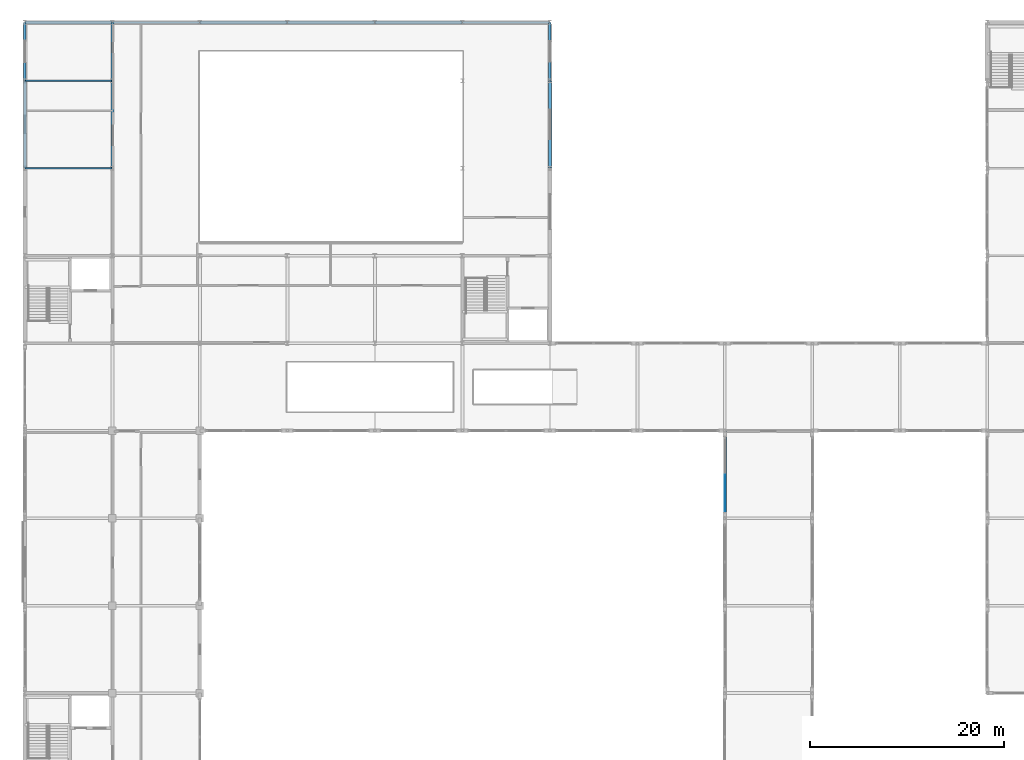
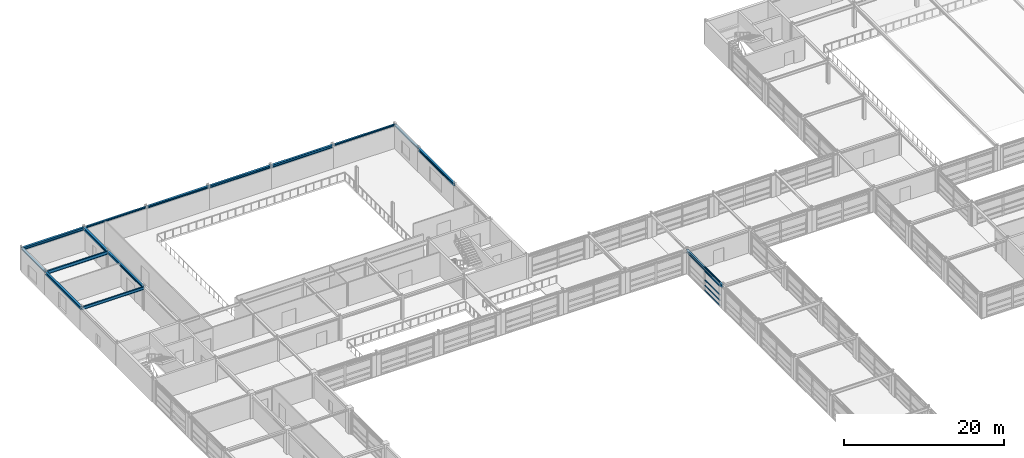
# One storey, part 35 of 79: 15 beams, 5 members, 1 element without a shape of its own.
"""IFC4 building model written with IfcOpenShell, lengths in metres."""

from ifc_helpers import new_model, si_unit, direction, frame, origin, origin_2d, place, context, subcontext, project, spatial, rectangle, i_section, extrude, material, material_profile, profile_set, type_object, element, aggregate, save


model = new_model("IFC4")

# Units and contexts
model_context = context("Model", 3, precision=1e-05, world=origin(), true_north=direction((0.0, 1.0)))
body_context = subcontext(model_context, "Body", "Model", "MODEL_VIEW")
ifc_project = project(units=[si_unit("LENGTHUNIT", "METRE"), si_unit("AREAUNIT", "SQUARE_METRE"), si_unit("VOLUMEUNIT", "CUBIC_METRE"), si_unit("PLANEANGLEUNIT", "RADIAN"), si_unit("MASSUNIT", "GRAM", prefix="KILO")], contexts=[model_context])

# Site, building, storey
site_placement = place(None, origin())
site = spatial("IfcSite", under=ifc_project, at=site_placement, CompositionType="ELEMENT")
building_placement = place(site_placement, origin())
building = spatial("IfcBuilding", under=site, at=building_placement, Name="Palais des Congres Ocreval", CompositionType="ELEMENT")
storey_placement = place(building_placement, frame((0.0, 0.0, 4.320068359375)))
storey = spatial("IfcBuildingStorey", under=building, at=storey_placement, Name="L01", CompositionType="ELEMENT", Elevation=4.320068359375)

# Beams
ifc_material_1 = material(Name="Steel S355", Category="steel")
ifc_material_profile_1 = material_profile(ifc_material_1, i_section(OverallWidth=0.18994140625, OverallDepth=0.449951171875, WebThickness=0.009521484375, FlangeThickness=0.0146484375, at=origin_2d()), Name="IPE 450")
ifc_profile_set_1 = profile_set([ifc_material_profile_1], Name="Steel S355")
beam_type_1 = type_object("IfcBeamType", Name="Composite Beam IPE 450 Steel S355", PredefinedType="BEAM", material=ifc_profile_set_1)
beam_1_placement = place(storey_placement, frame((0.02001953125, 99.0, 3.35498046875), z_axis=(1.0, 0.0, 0.0), x_axis=(0.0, 1.0, 0.0)))
element("IfcBeam", 1, at=beam_1_placement, inside=storey, type_object=beam_type_1, Name="Beam B03 L01", PredefinedType="BEAM", context=body_context, shape_type="SweptSolid", body=[
    extrude(i_section(OverallWidth=0.18994140625, OverallDepth=0.449951171875, WebThickness=0.009521484375, FlangeThickness=0.0146484375, at=origin_2d()), origin(), (0.0, 0.0, 1.0), 8.9599609375),
])
ifc_material_profile_2 = material_profile(ifc_material_1, i_section(OverallWidth=0.199951171875, OverallDepth=0.5, WebThickness=0.01025390625, FlangeThickness=0.01611328125, at=origin_2d()), Name="IPE 500")
ifc_profile_set_2 = profile_set([ifc_material_profile_2], Name="Steel S355")
beam_type_2 = type_object("IfcBeamType", Name="Composite Beam IPE 500 Steel S355", PredefinedType="BEAM", material=ifc_profile_set_2)
beam_2_placement = place(storey_placement, frame((0.02001953125, 108.0, 3.329833984375), z_axis=(1.0, 0.0, 0.0), x_axis=(0.0, 1.0, 0.0)))
element("IfcBeam", 2, at=beam_2_placement, inside=storey, type_object=beam_type_2, Name="Beam B04 L01", PredefinedType="BEAM", context=body_context, shape_type="SweptSolid", body=[
    extrude(i_section(OverallWidth=0.199951171875, OverallDepth=0.5, WebThickness=0.01025390625, FlangeThickness=0.01611328125, at=origin_2d()), origin(), (0.0, 0.0, 1.0), 8.9599609375),
])

# Curtain wall, members
ifc_material_2 = material(Name="Anodized bronze aluminium and low-E glass", Category="glass")
curtain_wall_type = type_object("IfcCurtainWallType", Name="Unitised Curtain Wall 7900x3660", PredefinedType="USERDEFINED", material=ifc_material_2)
curtain_wall_placement = place(storey_placement, origin())
curtain_wall = element("IfcCurtainWall", 3, at=curtain_wall_placement, inside=storey, type_object=curtain_wall_type, Name="Unitised Curtain Wall CW02 L01", ObjectType="UNITISED CURTAIN WALL", PredefinedType="USERDEFINED")
ifc_material_3 = material(Name="Anodized bronze aluminium", Category="aluminium")
ifc_material_profile_3 = material_profile(ifc_material_3, rectangle(XDim=0.06005859375, YDim=0.14990234375, at=origin_2d()), Name="ALU 60x150")
ifc_profile_set_3 = profile_set([ifc_material_profile_3], Name="Anodized bronze aluminium")
member_type = type_object("IfcMemberType", Name="Curtain Wall Transom ALU 60x150", PredefinedType="USERDEFINED", material=ifc_profile_set_3)
member_1_placement = place(storey_placement, frame((72.0, 63.72509765625, 0.030029296875), z_axis=(0.0, 1.0, 0.0), x_axis=(-1.0, 0.0, 0.0)))
member_1 = element("IfcMember", 4, at=member_1_placement, type_object=member_type, Name="Curtain Wall Transom TR01", ObjectType="TRANSOM", PredefinedType="USERDEFINED", context=body_context, shape_type="SweptSolid", body=[
    extrude(rectangle(XDim=0.06005859375, YDim=0.14990234375, at=origin_2d()), origin(), (0.0, 0.0, 1.0), 3.7373046875),
])
member_2_placement = place(storey_placement, frame((72.0, 63.72509765625, 0.780029296875), z_axis=(0.0, 1.0, 0.0), x_axis=(-1.0, 0.0, 0.0)))
member_2 = element("IfcMember", 5, at=member_2_placement, type_object=member_type, Name="Curtain Wall Transom TR01", ObjectType="TRANSOM", PredefinedType="USERDEFINED", context=body_context, shape_type="SweptSolid", body=[
    extrude(rectangle(XDim=0.06005859375, YDim=0.14990234375, at=origin_2d()), origin(), (0.0, 0.0, 1.0), 3.7373046875),
])
member_3_placement = place(storey_placement, frame((72.0, 63.72509765625, 1.616943359375), z_axis=(0.0, 1.0, 0.0), x_axis=(-1.0, 0.0, 0.0)))
member_3 = element("IfcMember", 6, at=member_3_placement, type_object=member_type, Name="Curtain Wall Transom TR01", ObjectType="TRANSOM", PredefinedType="USERDEFINED", context=body_context, shape_type="SweptSolid", body=[
    extrude(rectangle(XDim=0.06005859375, YDim=0.14990234375, at=origin_2d()), origin(), (0.0, 0.0, 1.0), 3.7373046875),
])
member_4_placement = place(storey_placement, frame((72.0, 63.72509765625, 2.93994140625), z_axis=(0.0, 1.0, 0.0), x_axis=(-1.0, 0.0, 0.0)))
member_4 = element("IfcMember", 7, at=member_4_placement, type_object=member_type, Name="Curtain Wall Transom TR01", ObjectType="TRANSOM", PredefinedType="USERDEFINED", context=body_context, shape_type="SweptSolid", body=[
    extrude(rectangle(XDim=0.06005859375, YDim=0.14990234375, at=origin_2d()), origin(), (0.0, 0.0, 1.0), 3.7373046875),
])
member_5_placement = place(storey_placement, frame((72.0, 63.72509765625, 3.559814453125), z_axis=(0.0, 1.0, 0.0), x_axis=(-1.0, 0.0, 0.0)))
member_5 = element("IfcMember", 8, at=member_5_placement, type_object=member_type, Name="Curtain Wall Transom TR01", ObjectType="TRANSOM", PredefinedType="USERDEFINED", context=body_context, shape_type="SweptSolid", body=[
    extrude(rectangle(XDim=0.06005859375, YDim=0.14990234375, at=origin_2d()), origin(), (0.0, 0.0, 1.0), 3.7373046875),
])
aggregate(curtain_wall, [member_1, member_2, member_3, member_4, member_5])

# Beams
ifc_material_profile_4 = material_profile(ifc_material_1, i_section(OverallWidth=0.260009765625, OverallDepth=0.260009765625, WebThickness=0.010009765625, FlangeThickness=0.017578125, at=origin_2d()), Name="HEB 260")
ifc_profile_set_4 = profile_set([ifc_material_profile_4], Name="Steel S355")
beam_type_3 = type_object("IfcBeamType", Name="Opening Lintel HEB 260 Steel S355", PredefinedType="LINTEL", material=ifc_profile_set_4)
for number, where, z_axis, x_axis, name in (
    (9, (0.0, 108.02001953125, 3.449951171875), (0.0, 1.0, 0.0), (-1.0, 0.0, 0.0), "Girder LN01 L01"),
    (10, (54.0, 108.02001953125, 3.449951171875), (0.0, 1.0, 0.0), (-1.0, 0.0, 0.0), "Girder LN01 L01"),
):
    element("IfcBeam", number, at=place(storey_placement, frame(where, z_axis=z_axis, x_axis=x_axis)), inside=storey, type_object=beam_type_3, Name=name, PredefinedType="LINTEL", context=body_context, shape_type="SweptSolid", body=[
        extrude(i_section(OverallWidth=0.260009765625, OverallDepth=0.260009765625, WebThickness=0.010009765625, FlangeThickness=0.017578125, at=origin_2d()), origin(), (0.0, 0.0, 1.0), 5.9599609375),
    ])
ifc_material_profile_5 = material_profile(ifc_material_1, i_section(OverallWidth=0.239990234375, OverallDepth=0.22998046875, WebThickness=0.007568359375, FlangeThickness=0.011962890625, at=origin_2d()), Name="HEA 240")
ifc_profile_set_5 = profile_set([ifc_material_profile_5], Name="Steel S355")
beam_type_4 = type_object("IfcBeamType", Name="Perimeter Spandrel HEA 240 Steel S355", PredefinedType="SPANDREL", material=ifc_profile_set_5)
for number, where, z_axis, x_axis, name in (
    (11, (9.02001953125, 114.0, 3.46484375), (1.0, 0.0, 0.0), (0.0, 1.0, 0.0), "Beam SP01 L01"),
    (12, (45.02001953125, 114.0, 3.46484375), (1.0, 0.0, 0.0), (0.0, 1.0, 0.0), "Beam SP01 L01"),
):
    element("IfcBeam", number, at=place(storey_placement, frame(where, z_axis=z_axis, x_axis=x_axis)), inside=storey, type_object=beam_type_4, Name=name, PredefinedType="SPANDREL", context=body_context, shape_type="SweptSolid", body=[
        extrude(i_section(OverallWidth=0.239990234375, OverallDepth=0.22998046875, WebThickness=0.007568359375, FlangeThickness=0.011962890625, at=origin_2d()), origin(), (0.0, 0.0, 1.0), 8.9599609375),
    ])
ifc_material_profile_6 = material_profile(ifc_material_1, i_section(OverallWidth=0.300048828125, OverallDepth=0.300048828125, WebThickness=0.010986328125, FlangeThickness=0.01904296875, at=origin_2d()), Name="HEB 300")
ifc_profile_set_6 = profile_set([ifc_material_profile_6], Name="Steel S355")
beam_type_5 = type_object("IfcBeamType", Name="Perimeter Spandrel HEB 300 Steel S355", PredefinedType="SPANDREL", material=ifc_profile_set_6)
beam_3_placement = place(storey_placement, frame((18.02001953125, 114.0, 3.429931640625), z_axis=(1.0, 0.0, 0.0), x_axis=(0.0, 1.0, 0.0)))
element("IfcBeam", 13, at=beam_3_placement, inside=storey, type_object=beam_type_5, Name="Beam SP02 L01", PredefinedType="SPANDREL", context=body_context, shape_type="SweptSolid", body=[
    extrude(i_section(OverallWidth=0.300048828125, OverallDepth=0.300048828125, WebThickness=0.010986328125, FlangeThickness=0.01904296875, at=origin_2d()), origin(), (0.0, 0.0, 1.0), 8.9599609375),
])
ifc_material_profile_7 = material_profile(ifc_material_1, i_section(OverallWidth=0.300048828125, OverallDepth=0.360107421875, WebThickness=0.012451171875, FlangeThickness=0.0224609375, at=origin_2d()), Name="HEB 360")
ifc_profile_set_7 = profile_set([ifc_material_profile_7], Name="Steel S355")
beam_type_6 = type_object("IfcBeamType", Name="Perimeter Spandrel HEB 360 Steel S355", PredefinedType="SPANDREL", material=ifc_profile_set_7)
beam_4_placement = place(storey_placement, frame((27.02001953125, 114.0, 3.39990234375), z_axis=(1.0, 0.0, 0.0), x_axis=(0.0, 1.0, 0.0)))
element("IfcBeam", 14, at=beam_4_placement, inside=storey, type_object=beam_type_6, Name="Beam SP03 L01", PredefinedType="SPANDREL", context=body_context, shape_type="SweptSolid", body=[
    extrude(i_section(OverallWidth=0.300048828125, OverallDepth=0.360107421875, WebThickness=0.012451171875, FlangeThickness=0.0224609375, at=origin_2d()), origin(), (0.0, 0.0, 1.0), 8.9599609375),
])
ifc_material_profile_8 = material_profile(ifc_material_1, i_section(OverallWidth=0.300048828125, OverallDepth=0.39990234375, WebThickness=0.013427734375, FlangeThickness=0.02392578125, at=origin_2d()), Name="HEB 400")
ifc_profile_set_8 = profile_set([ifc_material_profile_8], Name="Steel S355")
beam_type_7 = type_object("IfcBeamType", Name="Perimeter Spandrel HEB 400 Steel S355", PredefinedType="SPANDREL", material=ifc_profile_set_8)
for number, where, z_axis, x_axis, name in (
    (15, (0.0, 99.02001953125, 3.3798828125), (0.0, 1.0, 0.0), (-1.0, 0.0, 0.0), "Girder SP04 L01"),
    (16, (0.02001953125, 114.0, 3.3798828125), (1.0, 0.0, 0.0), (0.0, 1.0, 0.0), "Beam SP04 L01"),
    (17, (36.02001953125, 114.0, 3.3798828125), (1.0, 0.0, 0.0), (0.0, 1.0, 0.0), "Beam SP04 L01"),
    (18, (54.0, 99.02001953125, 3.3798828125), (0.0, 1.0, 0.0), (-1.0, 0.0, 0.0), "Girder SP04 L01"),
    (19, (72.0, 63.02001953125, 3.3798828125), (0.0, 1.0, 0.0), (-1.0, 0.0, 0.0), "Girder SP04 L01"),
):
    element("IfcBeam", number, at=place(storey_placement, frame(where, z_axis=z_axis, x_axis=x_axis)), inside=storey, type_object=beam_type_7, Name=name, PredefinedType="SPANDREL", context=body_context, shape_type="SweptSolid", body=[
        extrude(i_section(OverallWidth=0.300048828125, OverallDepth=0.39990234375, WebThickness=0.013427734375, FlangeThickness=0.02392578125, at=origin_2d()), origin(), (0.0, 0.0, 1.0), 8.9599609375),
    ])
ifc_material_profile_9 = material_profile(ifc_material_1, i_section(OverallWidth=0.300048828125, OverallDepth=0.330078125, WebThickness=0.009521484375, FlangeThickness=0.0166015625, at=origin_2d()), Name="HEA 340")
ifc_profile_set_9 = profile_set([ifc_material_profile_9], Name="Steel S355")
beam_type_8 = type_object("IfcBeamType", Name="Primary Beam HEA 340 Steel S355", PredefinedType="BEAM", material=ifc_profile_set_9)
beam_5_placement = place(storey_placement, frame((9.0, 99.02001953125, 3.4150390625), z_axis=(0.0, 1.0, 0.0), x_axis=(-1.0, 0.0, 0.0)))
element("IfcBeam", 20, at=beam_5_placement, inside=storey, type_object=beam_type_8, Name="Girder B09 L01", PredefinedType="BEAM", context=body_context, shape_type="SweptSolid", body=[
    extrude(i_section(OverallWidth=0.300048828125, OverallDepth=0.330078125, WebThickness=0.009521484375, FlangeThickness=0.0166015625, at=origin_2d()), origin(), (0.0, 0.0, 1.0), 8.9599609375),
])
ifc_material_profile_10 = material_profile(ifc_material_1, i_section(OverallWidth=0.300048828125, OverallDepth=0.389892578125, WebThickness=0.010986328125, FlangeThickness=0.01904296875, at=origin_2d()), Name="HEA 400")
ifc_profile_set_10 = profile_set([ifc_material_profile_10], Name="Steel S355")
beam_type_9 = type_object("IfcBeamType", Name="Primary Beam HEA 400 Steel S355", PredefinedType="BEAM", material=ifc_profile_set_10)
beam_6_placement = place(storey_placement, frame((9.0, 108.02001953125, 3.385009765625), z_axis=(0.0, 1.0, 0.0), x_axis=(-1.0, 0.0, 0.0)))
element("IfcBeam", 21, at=beam_6_placement, inside=storey, type_object=beam_type_9, Name="Girder B10 L01", PredefinedType="BEAM", context=body_context, shape_type="SweptSolid", body=[
    extrude(i_section(OverallWidth=0.300048828125, OverallDepth=0.389892578125, WebThickness=0.010986328125, FlangeThickness=0.01904296875, at=origin_2d()), origin(), (0.0, 0.0, 1.0), 5.9599609375),
])

save(model, "model.ifc")
